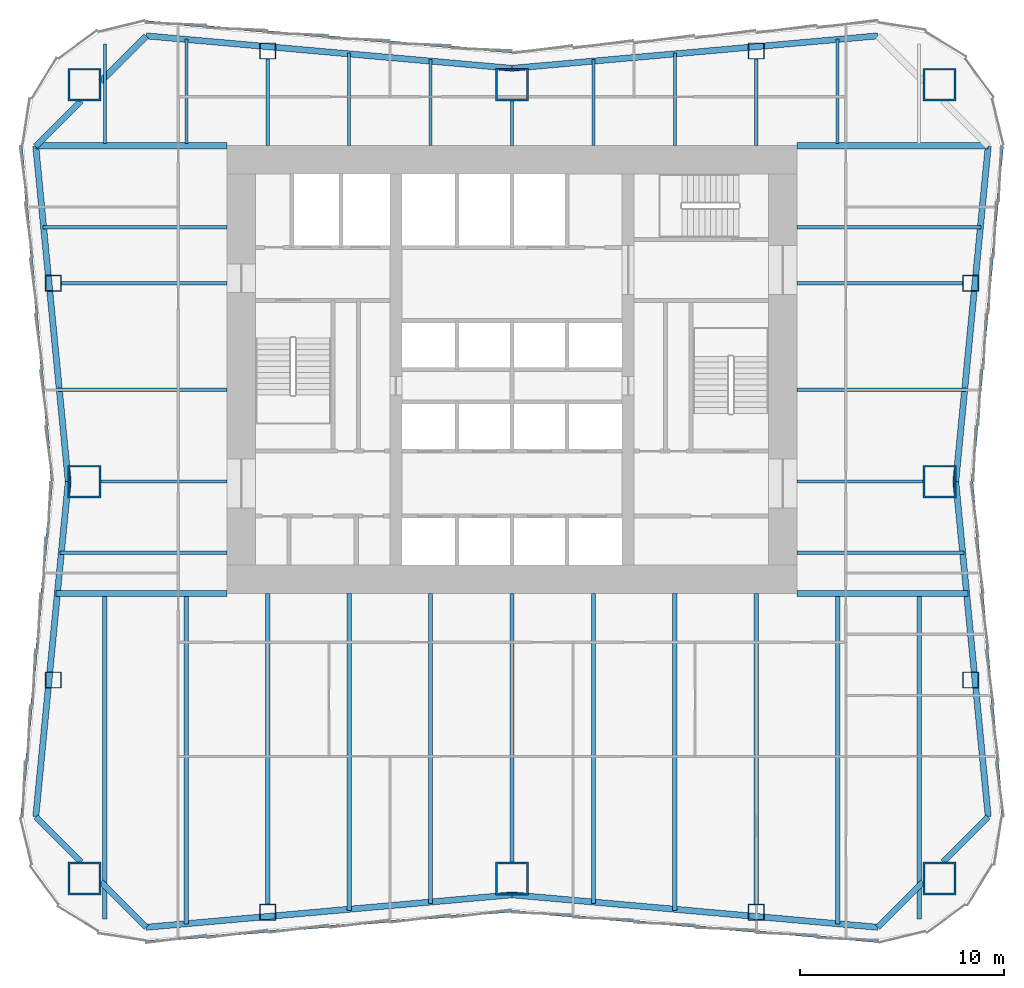
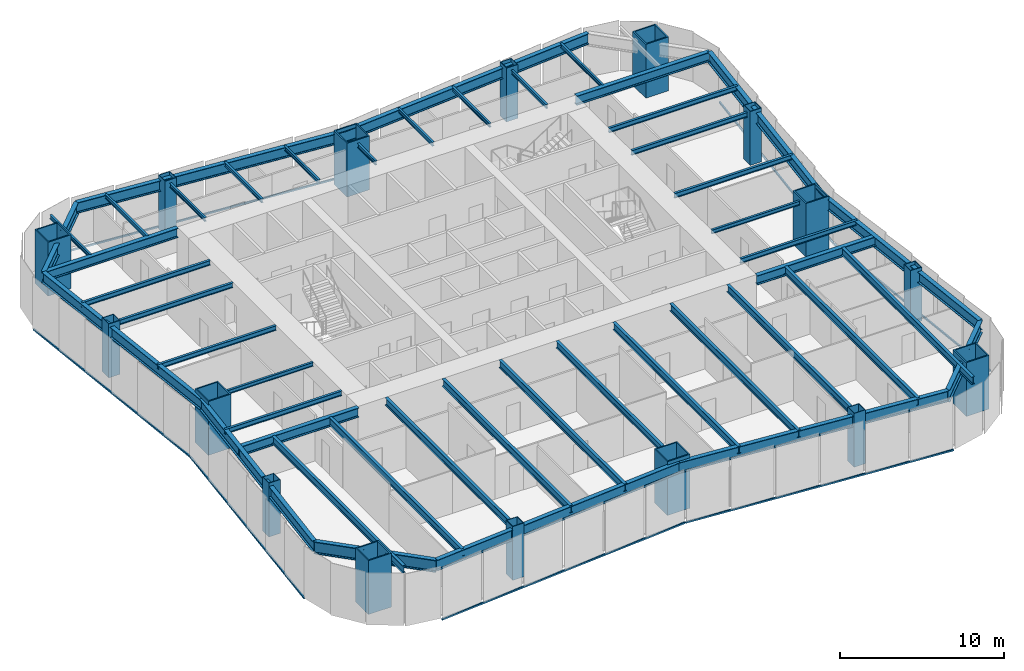
# One storey, part 1 of 7: 49 beams, 16 columns, 7 members, 4 elements without a shape of their own.
"""IFC4 building model written with IfcOpenShell, lengths in metres."""

from ifc_helpers import new_model, si_unit, direction, frame, origin, origin_2d, place, context, subcontext, project, spatial, rectangle, hollow_rectangle, i_section, extrude, material, material_profile, profile_set, type_object, element, aggregate, save


model = new_model("IFC4")

# Units and contexts
model_context = context("Model", 3, precision=1e-05, world=origin(), true_north=direction((0.0, 1.0)))
body_context = subcontext(model_context, "Body", "Model", "MODEL_VIEW")
ifc_project = project(units=[si_unit("LENGTHUNIT", "METRE"), si_unit("AREAUNIT", "SQUARE_METRE"), si_unit("VOLUMEUNIT", "CUBIC_METRE"), si_unit("PLANEANGLEUNIT", "RADIAN"), si_unit("MASSUNIT", "GRAM", prefix="KILO")], contexts=[model_context])

# Site, building, storey
site_placement = place(None, origin())
site = spatial("IfcSite", under=ifc_project, at=site_placement, CompositionType="ELEMENT")
building_placement = place(site_placement, origin())
building = spatial("IfcBuilding", under=site, at=building_placement, Name="Verdant Reach Tower", CompositionType="ELEMENT")
storey_placement = place(building_placement, frame((0.0, 0.0, 54.0)))
storey = spatial("IfcBuildingStorey", under=building, at=storey_placement, Name="L12", CompositionType="ELEMENT", Elevation=54.0)

# Columns
ifc_material_1 = material(Name="Steel S460", Category="steel")
ifc_material_profile_1 = material_profile(ifc_material_1, hollow_rectangle(XDim=1.60009765625, YDim=1.60009765625, WallThickness=0.090087890625, at=origin_2d()), Name="WB 1600x1600x90")
ifc_profile_set_1 = profile_set([ifc_material_profile_1], Name="Steel S460")
column_type_1 = type_object("IfcColumnType", Name="ST-COL-WB1600x1600x90", PredefinedType="COLUMN", material=ifc_profile_set_1)
for number, where, z_axis, x_axis, name in (
    (1, (-21.0, 42.0, 0.0), (0.0, 0.0, 1.0), (1.0, 0.0, 0.0), "Mega column north-west, L12"),
    (2, (0.0, 42.0, 0.0), (0.0, 0.0, 1.0), (1.0, 0.0, 0.0), "Mega column north, L12"),
    (3, (21.0, 42.0, 0.0), (0.0, 0.0, 1.0), (1.0, 0.0, 0.0), "Mega column north-east, L12"),
    (4, (21.0, 22.5, 0.0), (0.0, 0.0, 1.0), (1.0, 0.0, 0.0), "Mega column east, L12"),
    (5, (21.0, 3.0, 0.0), (0.0, 0.0, 1.0), (1.0, 0.0, 0.0), "Mega column south-east, L12"),
    (6, (0.0, 3.0, 0.0), (0.0, 0.0, 1.0), (1.0, 0.0, 0.0), "Mega column south, L12"),
    (7, (-21.0, 3.0, 0.0), (0.0, 0.0, 1.0), (1.0, 0.0, 0.0), "Mega column south-west, L12"),
    (8, (-21.0, 22.5, 0.0), (0.0, 0.0, 1.0), (1.0, 0.0, 0.0), "Mega column west, L12"),
):
    element("IfcColumn", number, at=place(storey_placement, frame(where, z_axis=z_axis, x_axis=x_axis)), inside=storey, type_object=column_type_1, Name=name, PredefinedType="COLUMN", context=body_context, shape_type="SweptSolid", body=[
        extrude(hollow_rectangle(XDim=1.60009765625, YDim=1.60009765625, WallThickness=0.090087890625, at=origin_2d()), origin(), (0.0, 0.0, 1.0), 4.0),
    ])
ifc_material_profile_2 = material_profile(ifc_material_1, hollow_rectangle(XDim=0.800048828125, YDim=0.800048828125, WallThickness=0.0400390625, at=origin_2d()), Name="WB 800x800x40")
ifc_profile_set_2 = profile_set([ifc_material_profile_2], Name="Steel S460")
column_type_2 = type_object("IfcColumnType", Name="ST-COL-WB800x800x40", PredefinedType="COLUMN", material=ifc_profile_set_2)
for number, where, z_axis, x_axis, name in (
    (9, (-12.0, 43.64990234375, 0.0), (0.0, 0.0, 1.0), (1.0, 0.0, 0.0), "Perimeter column north 1, L12"),
    (10, (12.0, 43.64990234375, 0.0), (0.0, 0.0, 1.0), (1.0, 0.0, 0.0), "Perimeter column north 2, L12"),
    (11, (-12.0, 1.35009765625, 0.0), (0.0, 0.0, 1.0), (1.0, 0.0, 0.0), "Perimeter column south 1, L12"),
    (12, (12.0, 1.35009765625, 0.0), (0.0, 0.0, 1.0), (1.0, 0.0, 0.0), "Perimeter column south 2, L12"),
    (13, (22.536376953125, 12.75, 0.0), (0.0, 0.0, 1.0), (1.0, 0.0, 0.0), "Perimeter column east 1, L12"),
    (14, (22.536376953125, 32.25, 0.0), (0.0, 0.0, 1.0), (1.0, 0.0, 0.0), "Perimeter column east 2, L12"),
    (15, (-22.536376953125, 12.75, 0.0), (0.0, 0.0, 1.0), (1.0, 0.0, 0.0), "Perimeter column west 1, L12"),
    (16, (-22.536376953125, 32.25, 0.0), (0.0, 0.0, 1.0), (1.0, 0.0, 0.0), "Perimeter column west 2, L12"),
):
    element("IfcColumn", number, at=place(storey_placement, frame(where, z_axis=z_axis, x_axis=x_axis)), inside=storey, type_object=column_type_2, Name=name, PredefinedType="COLUMN", context=body_context, shape_type="SweptSolid", body=[
        extrude(hollow_rectangle(XDim=0.800048828125, YDim=0.800048828125, WallThickness=0.0400390625, at=origin_2d()), origin(), (0.0, 0.0, 1.0), 4.0),
    ])

# Curtain wall, members
ifc_material_2 = material(Name="Anodised aluminium", Category="aluminium")
curtain_wall_type = type_object("IfcCurtainWallType", Name="EN-CW SYSTEM Z0", PredefinedType="NOTDEFINED", material=ifc_material_2)
curtain_wall_1_placement = place(storey_placement, origin())
curtain_wall_1 = element("IfcCurtainWall", 17, at=curtain_wall_1_placement, inside=storey, type_object=curtain_wall_type, Name="Curtain wall east, L12", PredefinedType="NOTDEFINED")
ifc_material_profile_3 = material_profile(ifc_material_2, rectangle(XDim=0.10009765625, YDim=0.1201171875, at=origin_2d()), Name="Transom 120x100")
ifc_profile_set_3 = profile_set([ifc_material_profile_3], Name="Anodised aluminium")
member_type = type_object("IfcMemberType", Name="EN-TRANSOM Z0", PredefinedType="USERDEFINED", material=ifc_profile_set_3)
member_1_placement = place(storey_placement, frame((24.09716796875, 6.024658203125, -0.2900390625), z_axis=(-0.090495755184, 0.995896841191, 0.0), x_axis=(-0.995896841191, -0.090495755184, 0.0)))
member_1 = element("IfcMember", 18, at=member_1_placement, type_object=member_type, Name="Transom east face part 1 1.1, L12", ObjectType="TRANSOM", PredefinedType="USERDEFINED", context=body_context, shape_type="SweptSolid", body=[
    extrude(rectangle(XDim=0.10009765625, YDim=0.1201171875, at=origin_2d()), origin(), (0.0, 0.0, 1.0), 16.513427734375),
])
member_2_placement = place(storey_placement, frame((22.602783203125, 22.52978515625, -0.2900390625), z_axis=(0.090495755184, 0.995896841191, 0.0), x_axis=(-0.995896841191, 0.090495755184, 0.0)))
member_2 = element("IfcMember", 19, at=member_2_placement, type_object=member_type, Name="Transom east face part 2 1.1, L12", ObjectType="TRANSOM", PredefinedType="USERDEFINED", context=body_context, shape_type="SweptSolid", body=[
    extrude(rectangle(XDim=0.10009765625, YDim=0.1201171875, at=origin_2d()), origin(), (0.0, 0.0, 1.0), 16.513427734375),
])
aggregate(curtain_wall_1, [member_1, member_2])

# Curtain wall, member
curtain_wall_2_placement = place(storey_placement, origin())
curtain_wall_2 = element("IfcCurtainWall", 20, at=curtain_wall_2_placement, inside=storey, type_object=curtain_wall_type, Name="Curtain wall north, L12", PredefinedType="NOTDEFINED")
member_3_placement = place(storey_placement, frame((-0.02978515625, 43.6025390625, -0.2900390625), z_axis=(-0.996548656072, 0.083010698588, 0.0), x_axis=(-0.083010698588, -0.996548656072, 0.0)))
member_3 = element("IfcMember", 21, at=member_3_placement, type_object=member_type, Name="Transom north face part 2 1.1, L12", ObjectType="TRANSOM", PredefinedType="USERDEFINED", context=body_context, shape_type="SweptSolid", body=[
    extrude(rectangle(XDim=0.10009765625, YDim=0.1201171875, at=origin_2d()), origin(), (0.0, 0.0, 1.0), 18.00830078125),
])
aggregate(curtain_wall_2, [member_3])

# Curtain wall, members
curtain_wall_3_placement = place(storey_placement, origin())
curtain_wall_3 = element("IfcCurtainWall", 22, at=curtain_wall_3_placement, inside=storey, type_object=curtain_wall_type, Name="Curtain wall west, L12", PredefinedType="NOTDEFINED")
member_4_placement = place(storey_placement, frame((-24.09716796875, 38.975341796875, -0.2900390625), z_axis=(0.090495755184, -0.995896841191, 0.0), x_axis=(0.995896841191, 0.090495755184, 0.0)))
member_4 = element("IfcMember", 23, at=member_4_placement, type_object=member_type, Name="Transom west face part 1 1.1, L12", ObjectType="TRANSOM", PredefinedType="USERDEFINED", context=body_context, shape_type="SweptSolid", body=[
    extrude(rectangle(XDim=0.10009765625, YDim=0.1201171875, at=origin_2d()), origin(), (0.0, 0.0, 1.0), 16.513427734375),
])
member_5_placement = place(storey_placement, frame((-22.602783203125, 22.47021484375, -0.2900390625), z_axis=(-0.090495755184, -0.995896841191, 0.0), x_axis=(0.995896841191, -0.090495755184, 0.0)))
member_5 = element("IfcMember", 24, at=member_5_placement, type_object=member_type, Name="Transom west face part 2 1.1, L12", ObjectType="TRANSOM", PredefinedType="USERDEFINED", context=body_context, shape_type="SweptSolid", body=[
    extrude(rectangle(XDim=0.10009765625, YDim=0.1201171875, at=origin_2d()), origin(), (0.0, 0.0, 1.0), 16.513427734375),
])
aggregate(curtain_wall_3, [member_4, member_5])

curtain_wall_4_placement = place(storey_placement, origin())
curtain_wall_4 = element("IfcCurtainWall", 25, at=curtain_wall_4_placement, inside=storey, type_object=curtain_wall_type, Name="Curtain wall south, L12", PredefinedType="NOTDEFINED")
member_6_placement = place(storey_placement, frame((-17.975830078125, -0.097412109375, -0.2900390625), z_axis=(0.996548656072, 0.083010698588, 0.0), x_axis=(-0.083010698588, 0.996548656072, 0.0)))
member_6 = element("IfcMember", 26, at=member_6_placement, type_object=member_type, Name="Transom south face part 1 1.1, L12", ObjectType="TRANSOM", PredefinedType="USERDEFINED", context=body_context, shape_type="SweptSolid", body=[
    extrude(rectangle(XDim=0.10009765625, YDim=0.1201171875, at=origin_2d()), origin(), (0.0, 0.0, 1.0), 18.00830078125),
])
member_7_placement = place(storey_placement, frame((0.02978515625, 1.3974609375, -0.2900390625), z_axis=(0.996548656072, -0.083010698588, 0.0), x_axis=(0.083010698588, 0.996548656072, 0.0)))
member_7 = element("IfcMember", 27, at=member_7_placement, type_object=member_type, Name="Transom south face part 2 1.1, L12", ObjectType="TRANSOM", PredefinedType="USERDEFINED", context=body_context, shape_type="SweptSolid", body=[
    extrude(rectangle(XDim=0.10009765625, YDim=0.1201171875, at=origin_2d()), origin(), (0.0, 0.0, 1.0), 18.00830078125),
])
aggregate(curtain_wall_4, [member_6, member_7])

# Beams
ifc_material_3 = material(Name="Steel S355", Category="steel")
ifc_material_profile_4 = material_profile(ifc_material_3, i_section(OverallWidth=0.300048828125, OverallDepth=0.699951171875, WebThickness=0.01708984375, FlangeThickness=0.031982421875, FilletRadius=0.027099609375, at=origin_2d()), Name="HEB 700")
ifc_profile_set_4 = profile_set([ifc_material_profile_4], Name="Steel S355")
beam_type_1 = type_object("IfcBeamType", Name="ST-BEAM-HEB700", PredefinedType="BEAM", material=ifc_profile_set_4)
for number, where, z_axis, x_axis, name in (
    (28, (14.0, 39.0, 3.39990234375), (1.0, 0.0, 0.0), (0.0, 1.0, 0.0), "Trimmer beam, L12"),
    (29, (-14.0, 39.0, 3.39990234375), (-1.0, 0.0, 0.0), (0.0, -1.0, 0.0), "Trimmer beam, L12"),
):
    element("IfcBeam", number, at=place(storey_placement, frame(where, z_axis=z_axis, x_axis=x_axis)), inside=storey, type_object=beam_type_1, Name=name, PredefinedType="BEAM", context=body_context, shape_type="SweptSolid", body=[
        extrude(i_section(OverallWidth=0.300048828125, OverallDepth=0.699951171875, WebThickness=0.01708984375, FlangeThickness=0.031982421875, FilletRadius=0.027099609375, at=origin_2d()), origin(), (0.0, 0.0, 1.0), 9.38818359375),
    ])
for number, where, z_axis, x_axis, name in (
    (30, (14.0, 17.0, 3.39990234375), (1.0, 0.0, 0.0), (0.0, 1.0, 0.0), "Trimmer beam, L12"),
    (31, (-14.0, 17.0, 3.39990234375), (-1.0, 0.0, 0.0), (0.0, -1.0, 0.0), "Trimmer beam, L12"),
):
    element("IfcBeam", number, at=place(storey_placement, frame(where, z_axis=z_axis, x_axis=x_axis)), inside=storey, type_object=beam_type_1, Name=name, PredefinedType="BEAM", context=body_context, shape_type="SweptSolid", body=[
        extrude(i_section(OverallWidth=0.300048828125, OverallDepth=0.699951171875, WebThickness=0.01708984375, FlangeThickness=0.031982421875, FilletRadius=0.027099609375, at=origin_2d()), origin(), (0.0, 0.0, 1.0), 8.3974609375),
    ])
ifc_material_profile_5 = material_profile(ifc_material_3, i_section(OverallWidth=0.14990234375, OverallDepth=0.300048828125, WebThickness=0.007080078125, FlangeThickness=0.0107421875, FilletRadius=0.014892578125, at=origin_2d()), Name="IPE 300")
ifc_profile_set_5 = profile_set([ifc_material_profile_5], Name="Steel S355")
beam_type_2 = type_object("IfcBeamType", Name="ST-JOIST-IPE300", PredefinedType="JOIST", material=ifc_profile_set_5)
beam_1_placement = place(storey_placement, frame((-20.0, 39.10009765625, 3.60009765625), z_axis=(0.0, 1.0, 0.0), x_axis=(-1.0, 0.0, 0.0)))
element("IfcBeam", 32, at=beam_1_placement, inside=storey, type_object=beam_type_2, Name="Floor joist, L12", PredefinedType="JOIST", context=body_context, shape_type="SweptSolid", body=[
    extrude(i_section(OverallWidth=0.14990234375, OverallDepth=0.300048828125, WebThickness=0.007080078125, FlangeThickness=0.0107421875, FilletRadius=0.014892578125, at=origin_2d()), origin(), (0.0, 0.0, 1.0), 4.890380859375),
])
beam_2_placement = place(storey_placement, frame((-16.0, 39.10009765625, 3.60009765625), z_axis=(0.0, 1.0, 0.0), x_axis=(-1.0, 0.0, 0.0)))
element("IfcBeam", 33, at=beam_2_placement, inside=storey, type_object=beam_type_2, Name="Floor joist, L12", PredefinedType="JOIST", context=body_context, shape_type="SweptSolid", body=[
    extrude(i_section(OverallWidth=0.14990234375, OverallDepth=0.300048828125, WebThickness=0.007080078125, FlangeThickness=0.0107421875, FilletRadius=0.014892578125, at=origin_2d()), origin(), (0.0, 0.0, 1.0), 5.131103515625),
])
beam_3_placement = place(storey_placement, frame((-12.0, 39.0, 3.60009765625), z_axis=(0.0, 1.0, 0.0), x_axis=(-1.0, 0.0, 0.0)))
element("IfcBeam", 34, at=beam_3_placement, inside=storey, type_object=beam_type_2, Name="Floor joist, L12", PredefinedType="JOIST", context=body_context, shape_type="SweptSolid", body=[
    extrude(i_section(OverallWidth=0.14990234375, OverallDepth=0.300048828125, WebThickness=0.007080078125, FlangeThickness=0.0107421875, FilletRadius=0.014892578125, at=origin_2d()), origin(), (0.0, 0.0, 1.0), 4.25),
])
beam_4_placement = place(storey_placement, frame((-8.0, 39.0, 3.60009765625), z_axis=(0.0, 1.0, 0.0), x_axis=(-1.0, 0.0, 0.0)))
element("IfcBeam", 35, at=beam_4_placement, inside=storey, type_object=beam_type_2, Name="Floor joist, L12", PredefinedType="JOIST", context=body_context, shape_type="SweptSolid", body=[
    extrude(i_section(OverallWidth=0.14990234375, OverallDepth=0.300048828125, WebThickness=0.007080078125, FlangeThickness=0.0107421875, FilletRadius=0.014892578125, at=origin_2d()), origin(), (0.0, 0.0, 1.0), 4.564697265625),
])
beam_5_placement = place(storey_placement, frame((-4.0, 39.0, 3.60009765625), z_axis=(0.0, 1.0, 0.0), x_axis=(-1.0, 0.0, 0.0)))
element("IfcBeam", 36, at=beam_5_placement, inside=storey, type_object=beam_type_2, Name="Floor joist, L12", PredefinedType="JOIST", context=body_context, shape_type="SweptSolid", body=[
    extrude(i_section(OverallWidth=0.14990234375, OverallDepth=0.300048828125, WebThickness=0.007080078125, FlangeThickness=0.0107421875, FilletRadius=0.014892578125, at=origin_2d()), origin(), (0.0, 0.0, 1.0), 4.231201171875),
])
beam_6_placement = place(storey_placement, frame((0.0, 39.0, 3.60009765625), z_axis=(0.0, 1.0, 0.0), x_axis=(-1.0, 0.0, 0.0)))
element("IfcBeam", 37, at=beam_6_placement, inside=storey, type_object=beam_type_2, Name="Floor joist, L12", PredefinedType="JOIST", context=body_context, shape_type="SweptSolid", body=[
    extrude(i_section(OverallWidth=0.14990234375, OverallDepth=0.300048828125, WebThickness=0.007080078125, FlangeThickness=0.0107421875, FilletRadius=0.014892578125, at=origin_2d()), origin(), (0.0, 0.0, 1.0), 2.199951171875),
])
beam_7_placement = place(storey_placement, frame((4.0, 39.0, 3.60009765625), z_axis=(0.0, 1.0, 0.0), x_axis=(-1.0, 0.0, 0.0)))
element("IfcBeam", 38, at=beam_7_placement, inside=storey, type_object=beam_type_2, Name="Floor joist, L12", PredefinedType="JOIST", context=body_context, shape_type="SweptSolid", body=[
    extrude(i_section(OverallWidth=0.14990234375, OverallDepth=0.300048828125, WebThickness=0.007080078125, FlangeThickness=0.0107421875, FilletRadius=0.014892578125, at=origin_2d()), origin(), (0.0, 0.0, 1.0), 4.231201171875),
])
beam_8_placement = place(storey_placement, frame((8.0, 39.0, 3.60009765625), z_axis=(0.0, 1.0, 0.0), x_axis=(-1.0, 0.0, 0.0)))
element("IfcBeam", 39, at=beam_8_placement, inside=storey, type_object=beam_type_2, Name="Floor joist, L12", PredefinedType="JOIST", context=body_context, shape_type="SweptSolid", body=[
    extrude(i_section(OverallWidth=0.14990234375, OverallDepth=0.300048828125, WebThickness=0.007080078125, FlangeThickness=0.0107421875, FilletRadius=0.014892578125, at=origin_2d()), origin(), (0.0, 0.0, 1.0), 4.564697265625),
])
beam_9_placement = place(storey_placement, frame((12.0, 39.0, 3.60009765625), z_axis=(0.0, 1.0, 0.0), x_axis=(-1.0, 0.0, 0.0)))
element("IfcBeam", 40, at=beam_9_placement, inside=storey, type_object=beam_type_2, Name="Floor joist, L12", PredefinedType="JOIST", context=body_context, shape_type="SweptSolid", body=[
    extrude(i_section(OverallWidth=0.14990234375, OverallDepth=0.300048828125, WebThickness=0.007080078125, FlangeThickness=0.0107421875, FilletRadius=0.014892578125, at=origin_2d()), origin(), (0.0, 0.0, 1.0), 4.25),
])
beam_10_placement = place(storey_placement, frame((16.0, 39.10009765625, 3.60009765625), z_axis=(0.0, 1.0, 0.0), x_axis=(-1.0, 0.0, 0.0)))
element("IfcBeam", 41, at=beam_10_placement, inside=storey, type_object=beam_type_2, Name="Floor joist, L12", PredefinedType="JOIST", context=body_context, shape_type="SweptSolid", body=[
    extrude(i_section(OverallWidth=0.14990234375, OverallDepth=0.300048828125, WebThickness=0.007080078125, FlangeThickness=0.0107421875, FilletRadius=0.014892578125, at=origin_2d()), origin(), (0.0, 0.0, 1.0), 5.131103515625),
])
for number, where, z_axis, x_axis, name in (
    (42, (14.0, 22.5, 3.60009765625), (1.0, 0.0, 0.0), (0.0, 1.0, 0.0), "Floor joist, L12"),
    (43, (-14.0, 22.5, 3.60009765625), (-1.0, 0.0, 0.0), (0.0, -1.0, 0.0), "Floor joist, L12"),
):
    element("IfcBeam", number, at=place(storey_placement, frame(where, z_axis=z_axis, x_axis=x_axis)), inside=storey, type_object=beam_type_2, Name=name, PredefinedType="JOIST", context=body_context, shape_type="SweptSolid", body=[
        extrude(i_section(OverallWidth=0.14990234375, OverallDepth=0.300048828125, WebThickness=0.007080078125, FlangeThickness=0.0107421875, FilletRadius=0.014892578125, at=origin_2d()), origin(), (0.0, 0.0, 1.0), 6.199951171875),
    ])
ifc_material_profile_6 = material_profile(ifc_material_3, i_section(OverallWidth=0.169921875, OverallDepth=0.360107421875, WebThickness=0.008056640625, FlangeThickness=0.0126953125, FilletRadius=0.01806640625, at=origin_2d()), Name="IPE 360")
ifc_profile_set_6 = profile_set([ifc_material_profile_6], Name="Steel S355")
beam_type_3 = type_object("IfcBeamType", Name="ST-JOIST-IPE360", PredefinedType="JOIST", material=ifc_profile_set_6)
for number, where, z_axis, x_axis, name in (
    (44, (14.0, 19.0, 3.570068359375), (1.0, 0.0, 0.0), (0.0, 1.0, 0.0), "Floor joist, L12"),
    (45, (-14.0, 19.0, 3.570068359375), (-1.0, 0.0, 0.0), (0.0, -1.0, 0.0), "Floor joist, L12"),
):
    element("IfcBeam", number, at=place(storey_placement, frame(where, z_axis=z_axis, x_axis=x_axis)), inside=storey, type_object=beam_type_3, Name=name, PredefinedType="JOIST", context=body_context, shape_type="SweptSolid", body=[
        extrude(i_section(OverallWidth=0.169921875, OverallDepth=0.360107421875, WebThickness=0.008056640625, FlangeThickness=0.0126953125, FilletRadius=0.01806640625, at=origin_2d()), origin(), (0.0, 0.0, 1.0), 8.2158203125),
    ])
for number, where, z_axis, x_axis, name in (
    (46, (14.0, 27.0, 3.570068359375), (1.0, 0.0, 0.0), (0.0, 1.0, 0.0), "Floor joist, L12"),
    (47, (-14.0, 27.0, 3.570068359375), (-1.0, 0.0, 0.0), (0.0, -1.0, 0.0), "Floor joist, L12"),
):
    element("IfcBeam", number, at=place(storey_placement, frame(where, z_axis=z_axis, x_axis=x_axis)), inside=storey, type_object=beam_type_3, Name=name, PredefinedType="JOIST", context=body_context, shape_type="SweptSolid", body=[
        extrude(i_section(OverallWidth=0.169921875, OverallDepth=0.360107421875, WebThickness=0.008056640625, FlangeThickness=0.0126953125, FilletRadius=0.01806640625, at=origin_2d()), origin(), (0.0, 0.0, 1.0), 8.306640625),
    ])
for number, where, z_axis, x_axis, name in (
    (48, (14.0, 32.25, 3.570068359375), (1.0, 0.0, 0.0), (0.0, 1.0, 0.0), "Floor joist, L12"),
    (49, (-14.0, 32.25, 3.570068359375), (-1.0, 0.0, 0.0), (0.0, -1.0, 0.0), "Floor joist, L12"),
):
    element("IfcBeam", number, at=place(storey_placement, frame(where, z_axis=z_axis, x_axis=x_axis)), inside=storey, type_object=beam_type_3, Name=name, PredefinedType="JOIST", context=body_context, shape_type="SweptSolid", body=[
        extrude(i_section(OverallWidth=0.169921875, OverallDepth=0.360107421875, WebThickness=0.008056640625, FlangeThickness=0.0126953125, FilletRadius=0.01806640625, at=origin_2d()), origin(), (0.0, 0.0, 1.0), 8.136474609375),
    ])
for number, where, z_axis, x_axis, name in (
    (50, (14.0, 35.0, 3.570068359375), (1.0, 0.0, 0.0), (0.0, 1.0, 0.0), "Floor joist, L12"),
    (51, (-14.0, 35.0, 3.570068359375), (-1.0, 0.0, 0.0), (0.0, -1.0, 0.0), "Floor joist, L12"),
):
    element("IfcBeam", number, at=place(storey_placement, frame(where, z_axis=z_axis, x_axis=x_axis)), inside=storey, type_object=beam_type_3, Name=name, PredefinedType="JOIST", context=body_context, shape_type="SweptSolid", body=[
        extrude(i_section(OverallWidth=0.169921875, OverallDepth=0.360107421875, WebThickness=0.008056640625, FlangeThickness=0.0126953125, FilletRadius=0.01806640625, at=origin_2d()), origin(), (0.0, 0.0, 1.0), 9.033935546875),
    ])
ifc_material_profile_7 = material_profile(ifc_material_3, i_section(OverallWidth=0.199951171875, OverallDepth=0.5, WebThickness=0.01025390625, FlangeThickness=0.01611328125, FilletRadius=0.02099609375, at=origin_2d()), Name="IPE 500")
ifc_profile_set_7 = profile_set([ifc_material_profile_7], Name="Steel S355")
beam_type_4 = type_object("IfcBeamType", Name="ST-JOIST-IPE500", PredefinedType="JOIST", material=ifc_profile_set_7)
beam_11_placement = place(storey_placement, frame((0.0, 17.0, 3.5), z_axis=(0.0, -1.0, 0.0), x_axis=(1.0, 0.0, 0.0)))
element("IfcBeam", 52, at=beam_11_placement, inside=storey, type_object=beam_type_4, Name="Floor joist, L12", PredefinedType="JOIST", context=body_context, shape_type="SweptSolid", body=[
    extrude(i_section(OverallWidth=0.199951171875, OverallDepth=0.5, WebThickness=0.01025390625, FlangeThickness=0.01611328125, FilletRadius=0.02099609375, at=origin_2d()), origin(), (0.0, 0.0, 1.0), 13.199951171875),
])
ifc_material_profile_8 = material_profile(ifc_material_3, i_section(OverallWidth=0.2099609375, OverallDepth=0.550048828125, WebThickness=0.010986328125, FlangeThickness=0.01708984375, FilletRadius=0.02392578125, at=origin_2d()), Name="IPE 550")
ifc_profile_set_8 = profile_set([ifc_material_profile_8], Name="Steel S355")
beam_type_5 = type_object("IfcBeamType", Name="ST-JOIST-IPE550", PredefinedType="JOIST", material=ifc_profile_set_8)
beam_12_placement = place(storey_placement, frame((-20.0, 16.89990234375, 3.47509765625), z_axis=(0.0, -1.0, 0.0), x_axis=(1.0, 0.0, 0.0)))
element("IfcBeam", 53, at=beam_12_placement, inside=storey, type_object=beam_type_5, Name="Floor joist, L12", PredefinedType="JOIST", context=body_context, shape_type="SweptSolid", body=[
    extrude(i_section(OverallWidth=0.2099609375, OverallDepth=0.550048828125, WebThickness=0.010986328125, FlangeThickness=0.01708984375, FilletRadius=0.02392578125, at=origin_2d()), origin(), (0.0, 0.0, 1.0), 15.890380859375),
])
beam_13_placement = place(storey_placement, frame((-16.0, 16.89990234375, 3.47509765625), z_axis=(0.0, -1.0, 0.0), x_axis=(1.0, 0.0, 0.0)))
element("IfcBeam", 54, at=beam_13_placement, inside=storey, type_object=beam_type_5, Name="Floor joist, L12", PredefinedType="JOIST", context=body_context, shape_type="SweptSolid", body=[
    extrude(i_section(OverallWidth=0.2099609375, OverallDepth=0.550048828125, WebThickness=0.010986328125, FlangeThickness=0.01708984375, FilletRadius=0.02392578125, at=origin_2d()), origin(), (0.0, 0.0, 1.0), 16.131103515625),
])
beam_14_placement = place(storey_placement, frame((-12.0, 17.0, 3.47509765625), z_axis=(0.0, -1.0, 0.0), x_axis=(1.0, 0.0, 0.0)))
element("IfcBeam", 55, at=beam_14_placement, inside=storey, type_object=beam_type_5, Name="Floor joist, L12", PredefinedType="JOIST", context=body_context, shape_type="SweptSolid", body=[
    extrude(i_section(OverallWidth=0.2099609375, OverallDepth=0.550048828125, WebThickness=0.010986328125, FlangeThickness=0.01708984375, FilletRadius=0.02392578125, at=origin_2d()), origin(), (0.0, 0.0, 1.0), 15.25),
])
beam_15_placement = place(storey_placement, frame((-8.0, 17.0, 3.47509765625), z_axis=(0.0, -1.0, 0.0), x_axis=(1.0, 0.0, 0.0)))
element("IfcBeam", 56, at=beam_15_placement, inside=storey, type_object=beam_type_5, Name="Floor joist, L12", PredefinedType="JOIST", context=body_context, shape_type="SweptSolid", body=[
    extrude(i_section(OverallWidth=0.2099609375, OverallDepth=0.550048828125, WebThickness=0.010986328125, FlangeThickness=0.01708984375, FilletRadius=0.02392578125, at=origin_2d()), origin(), (0.0, 0.0, 1.0), 15.564697265625),
])
for number, where, z_axis, x_axis, name in (
    (57, (-4.0, 17.0, 3.47509765625), (0.0, -1.0, 0.0), (1.0, 0.0, 0.0), "Floor joist, L12"),
    (58, (4.0, 17.0, 3.47509765625), (0.0, -1.0, 0.0), (1.0, 0.0, 0.0), "Floor joist, L12"),
):
    element("IfcBeam", number, at=place(storey_placement, frame(where, z_axis=z_axis, x_axis=x_axis)), inside=storey, type_object=beam_type_5, Name=name, PredefinedType="JOIST", context=body_context, shape_type="SweptSolid", body=[
        extrude(i_section(OverallWidth=0.2099609375, OverallDepth=0.550048828125, WebThickness=0.010986328125, FlangeThickness=0.01708984375, FilletRadius=0.02392578125, at=origin_2d()), origin(), (0.0, 0.0, 1.0), 15.231201171875),
    ])
beam_16_placement = place(storey_placement, frame((8.0, 17.0, 3.47509765625), z_axis=(0.0, -1.0, 0.0), x_axis=(1.0, 0.0, 0.0)))
element("IfcBeam", 59, at=beam_16_placement, inside=storey, type_object=beam_type_5, Name="Floor joist, L12", PredefinedType="JOIST", context=body_context, shape_type="SweptSolid", body=[
    extrude(i_section(OverallWidth=0.2099609375, OverallDepth=0.550048828125, WebThickness=0.010986328125, FlangeThickness=0.01708984375, FilletRadius=0.02392578125, at=origin_2d()), origin(), (0.0, 0.0, 1.0), 15.564697265625),
])
beam_17_placement = place(storey_placement, frame((12.0, 17.0, 3.47509765625), z_axis=(0.0, -1.0, 0.0), x_axis=(1.0, 0.0, 0.0)))
element("IfcBeam", 60, at=beam_17_placement, inside=storey, type_object=beam_type_5, Name="Floor joist, L12", PredefinedType="JOIST", context=body_context, shape_type="SweptSolid", body=[
    extrude(i_section(OverallWidth=0.2099609375, OverallDepth=0.550048828125, WebThickness=0.010986328125, FlangeThickness=0.01708984375, FilletRadius=0.02392578125, at=origin_2d()), origin(), (0.0, 0.0, 1.0), 15.25),
])
beam_18_placement = place(storey_placement, frame((16.0, 16.89990234375, 3.47509765625), z_axis=(0.0, -1.0, 0.0), x_axis=(1.0, 0.0, 0.0)))
element("IfcBeam", 61, at=beam_18_placement, inside=storey, type_object=beam_type_5, Name="Floor joist, L12", PredefinedType="JOIST", context=body_context, shape_type="SweptSolid", body=[
    extrude(i_section(OverallWidth=0.2099609375, OverallDepth=0.550048828125, WebThickness=0.010986328125, FlangeThickness=0.01708984375, FilletRadius=0.02392578125, at=origin_2d()), origin(), (0.0, 0.0, 1.0), 16.131103515625),
])
beam_19_placement = place(storey_placement, frame((20.0, 16.89990234375, 3.47509765625), z_axis=(0.0, -1.0, 0.0), x_axis=(1.0, 0.0, 0.0)))
element("IfcBeam", 62, at=beam_19_placement, inside=storey, type_object=beam_type_5, Name="Floor joist, L12", PredefinedType="JOIST", context=body_context, shape_type="SweptSolid", body=[
    extrude(i_section(OverallWidth=0.2099609375, OverallDepth=0.550048828125, WebThickness=0.010986328125, FlangeThickness=0.01708984375, FilletRadius=0.02392578125, at=origin_2d()), origin(), (0.0, 0.0, 1.0), 15.890380859375),
])
ifc_material_profile_9 = material_profile(ifc_material_3, i_section(OverallWidth=0.300048828125, OverallDepth=0.800048828125, WebThickness=0.017578125, FlangeThickness=0.032958984375, FilletRadius=0.030029296875, at=origin_2d()), Name="HEB 800")
ifc_profile_set_9 = profile_set([ifc_material_profile_9], Name="Steel S355")
beam_type_6 = type_object("IfcBeamType", Name="ST-SPANDREL-HEB800", PredefinedType="SPANDREL", material=ifc_profile_set_9)
for number, where, z_axis, x_axis, name in (
    (63, (17.9658203125, 0.60498046875, 3.35009765625), (-0.996082370463, 0.088430262084, 0.0), (-0.088430262084, -0.996082370463, 0.0), "Edge beam, L12"),
    (64, (0.0, 2.199951171875, 3.35009765625), (-0.996082370463, -0.088430262084, 0.0), (0.088430262084, -0.996082370463, 0.0), "Edge beam, L12"),
):
    element("IfcBeam", number, at=place(storey_placement, frame(where, z_axis=z_axis, x_axis=x_axis)), inside=storey, type_object=beam_type_6, Name=name, PredefinedType="SPANDREL", context=body_context, shape_type="SweptSolid", body=[
        extrude(i_section(OverallWidth=0.300048828125, OverallDepth=0.800048828125, WebThickness=0.017578125, FlangeThickness=0.032958984375, FilletRadius=0.030029296875, at=origin_2d()), origin(), (0.0, 0.0, 1.0), 18.036376953125),
    ])
for number, where, z_axis, x_axis, name in (
    (65, (-23.39453125, 6.031982421875, 3.35009765625), (0.096372296695, 0.995345357366, 0.0), (-0.995345357366, 0.096372296695, 0.0), "Edge beam, L12"),
    (66, (-21.800048828125, 22.5, 3.35009765625), (-0.096372296695, 0.995345357366, 0.0), (-0.995345357366, -0.096372296695, 0.0), "Edge beam, L12"),
):
    element("IfcBeam", number, at=place(storey_placement, frame(where, z_axis=z_axis, x_axis=x_axis)), inside=storey, type_object=beam_type_6, Name=name, PredefinedType="SPANDREL", context=body_context, shape_type="SweptSolid", body=[
        extrude(i_section(OverallWidth=0.300048828125, OverallDepth=0.800048828125, WebThickness=0.017578125, FlangeThickness=0.032958984375, FilletRadius=0.030029296875, at=origin_2d()), origin(), (0.0, 0.0, 1.0), 16.544921875),
    ])
for number, where, z_axis, x_axis, name in (
    (67, (-17.9658203125, 44.39501953125, 3.35009765625), (0.996082370463, -0.088430262084, 0.0), (0.088430262084, 0.996082370463, 0.0), "Edge beam, L12"),
    (68, (0.0, 42.800048828125, 3.35009765625), (0.996082370463, 0.088430262084, 0.0), (-0.088430262084, 0.996082370463, 0.0), "Edge beam, L12"),
):
    element("IfcBeam", number, at=place(storey_placement, frame(where, z_axis=z_axis, x_axis=x_axis)), inside=storey, type_object=beam_type_6, Name=name, PredefinedType="SPANDREL", context=body_context, shape_type="SweptSolid", body=[
        extrude(i_section(OverallWidth=0.300048828125, OverallDepth=0.800048828125, WebThickness=0.017578125, FlangeThickness=0.032958984375, FilletRadius=0.030029296875, at=origin_2d()), origin(), (0.0, 0.0, 1.0), 18.036376953125),
    ])
for number, where, z_axis, x_axis, name in (
    (69, (23.39453125, 38.968017578125, 3.35009765625), (-0.096372296695, -0.995345357366, 0.0), (0.995345357366, -0.096372296695, 0.0), "Edge beam, L12"),
    (70, (21.800048828125, 22.5, 3.35009765625), (0.096372296695, -0.995345357366, 0.0), (0.995345357366, 0.096372296695, 0.0), "Edge beam, L12"),
):
    element("IfcBeam", number, at=place(storey_placement, frame(where, z_axis=z_axis, x_axis=x_axis)), inside=storey, type_object=beam_type_6, Name=name, PredefinedType="SPANDREL", context=body_context, shape_type="SweptSolid", body=[
        extrude(i_section(OverallWidth=0.300048828125, OverallDepth=0.800048828125, WebThickness=0.017578125, FlangeThickness=0.032958984375, FilletRadius=0.030029296875, at=origin_2d()), origin(), (0.0, 0.0, 1.0), 16.544921875),
    ])
ifc_material_profile_10 = material_profile(ifc_material_3, i_section(OverallWidth=0.302001953125, OverallDepth=0.909912109375, WebThickness=0.02099609375, FlangeThickness=0.0400390625, FilletRadius=0.030029296875, at=origin_2d()), Name="HEM 900")
ifc_profile_set_10 = profile_set([ifc_material_profile_10], Name="Steel S355")
beam_type_7 = type_object("IfcBeamType", Name="ST-SPANDREL-HEM900", PredefinedType="SPANDREL", material=ifc_profile_set_10)
beam_20_placement = place(storey_placement, frame((-17.9658203125, 0.60498046875, 3.294921875), z_axis=(-0.707222697162, 0.706990846206, 0.0), x_axis=(-0.706990846206, -0.707222697162, 0.0)))
element("IfcBeam", 71, at=beam_20_placement, inside=storey, type_object=beam_type_7, Name="Edge beam, L12", PredefinedType="SPANDREL", context=body_context, shape_type="SweptSolid", body=[
    extrude(i_section(OverallWidth=0.302001953125, OverallDepth=0.909912109375, WebThickness=0.02099609375, FlangeThickness=0.0400390625, FilletRadius=0.030029296875, at=origin_2d()), origin(), (0.0, 0.0, 1.0), 3.158935546875),
])
for number, where, z_axis, x_axis, name in (
    (72, (-21.161865234375, 3.800048828125, 3.294921875), (-0.70722277322, 0.706990770123, 0.0), (-0.706990770123, -0.70722277322, 0.0), "Edge beam, L12"),
    (73, (-23.39453125, 38.968017578125, 3.294921875), (0.70722277322, 0.706990770123, 0.0), (-0.706990770123, 0.70722277322, 0.0), "Edge beam, L12"),
):
    element("IfcBeam", number, at=place(storey_placement, frame(where, z_axis=z_axis, x_axis=x_axis)), inside=storey, type_object=beam_type_7, Name=name, PredefinedType="SPANDREL", context=body_context, shape_type="SweptSolid", body=[
        extrude(i_section(OverallWidth=0.302001953125, OverallDepth=0.909912109375, WebThickness=0.02099609375, FlangeThickness=0.0400390625, FilletRadius=0.030029296875, at=origin_2d()), origin(), (0.0, 0.0, 1.0), 3.156982421875),
    ])
beam_21_placement = place(storey_placement, frame((-20.199951171875, 42.16162109375, 3.294921875), z_axis=(0.707222697162, 0.706990846206, 0.0), x_axis=(-0.706990846206, 0.707222697162, 0.0)))
element("IfcBeam", 74, at=beam_21_placement, inside=storey, type_object=beam_type_7, Name="Edge beam, L12", PredefinedType="SPANDREL", context=body_context, shape_type="SweptSolid", body=[
    extrude(i_section(OverallWidth=0.302001953125, OverallDepth=0.909912109375, WebThickness=0.02099609375, FlangeThickness=0.0400390625, FilletRadius=0.030029296875, at=origin_2d()), origin(), (0.0, 0.0, 1.0), 3.158935546875),
])
beam_22_placement = place(storey_placement, frame((23.39453125, 6.031982421875, 3.294921875), z_axis=(-0.70722277322, -0.706990770123, 0.0), x_axis=(0.706990770123, -0.70722277322, 0.0)))
element("IfcBeam", 75, at=beam_22_placement, inside=storey, type_object=beam_type_7, Name="Edge beam, L12", PredefinedType="SPANDREL", context=body_context, shape_type="SweptSolid", body=[
    extrude(i_section(OverallWidth=0.302001953125, OverallDepth=0.909912109375, WebThickness=0.02099609375, FlangeThickness=0.0400390625, FilletRadius=0.030029296875, at=origin_2d()), origin(), (0.0, 0.0, 1.0), 3.156982421875),
])
beam_23_placement = place(storey_placement, frame((20.199951171875, 2.83837890625, 3.294921875), z_axis=(-0.707222697162, -0.706990846206, 0.0), x_axis=(0.706990846206, -0.707222697162, 0.0)))
element("IfcBeam", 76, at=beam_23_placement, inside=storey, type_object=beam_type_7, Name="Edge beam, L12", PredefinedType="SPANDREL", context=body_context, shape_type="SweptSolid", body=[
    extrude(i_section(OverallWidth=0.302001953125, OverallDepth=0.909912109375, WebThickness=0.02099609375, FlangeThickness=0.0400390625, FilletRadius=0.030029296875, at=origin_2d()), origin(), (0.0, 0.0, 1.0), 3.158935546875),
])

save(model, "model.ifc")
